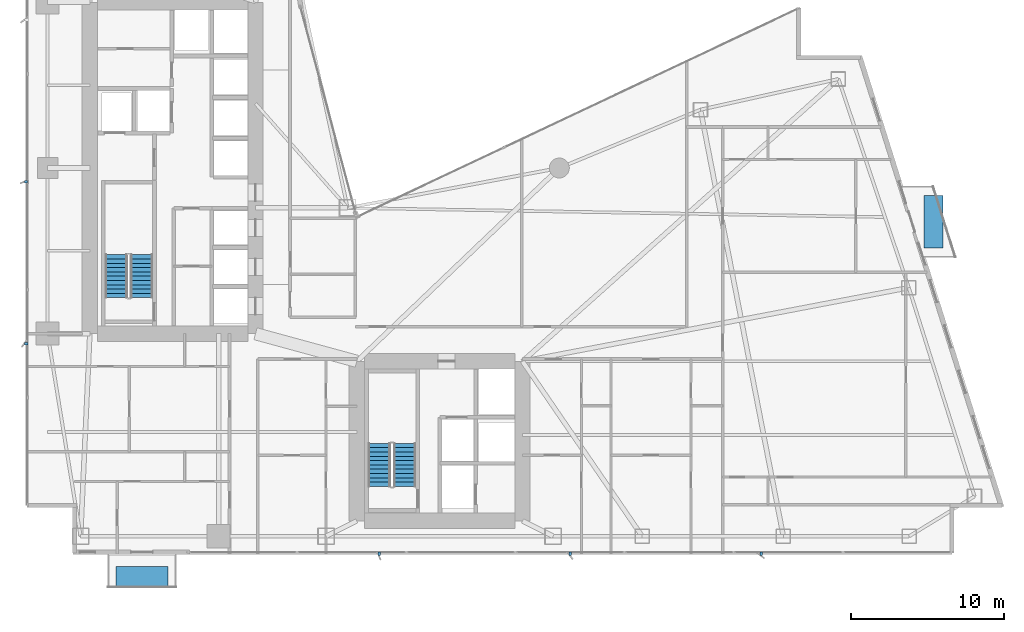
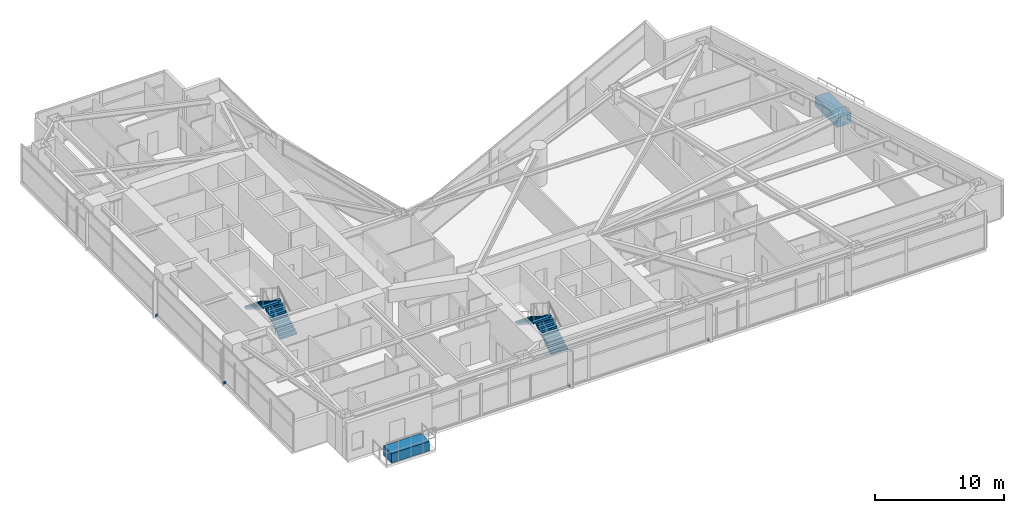
# One storey, part 25 of 28: 7 discrete accessories, 4 stair flights, 2 elements without a shape of their own.
"""IFC4 building model written with IfcOpenShell, lengths in metres."""

from ifc_helpers import new_model, si_unit, direction, frame, origin, origin_2d, place, context, subcontext, project, spatial, polyline, rectangle, outline, extrude, material, type_object, element, aggregate, save


model = new_model("IFC4")

# Units and contexts
model_context = context("Model", 3, precision=1e-05, world=origin(), true_north=direction((0.0, 1.0)))
body_context = subcontext(model_context, "Body", "Model", "MODEL_VIEW")
ifc_project = project(units=[si_unit("LENGTHUNIT", "METRE"), si_unit("AREAUNIT", "SQUARE_METRE"), si_unit("VOLUMEUNIT", "CUBIC_METRE"), si_unit("PLANEANGLEUNIT", "RADIAN"), si_unit("MASSUNIT", "GRAM", prefix="KILO")], contexts=[model_context])

# Site, building, storey
site_placement = place(None, origin())
site = spatial("IfcSite", under=ifc_project, at=site_placement, CompositionType="ELEMENT")
building_placement = place(site_placement, origin())
building = spatial("IfcBuilding", under=site, at=building_placement, Name="Calvorn Quay Hotel", CompositionType="ELEMENT")
storey_placement = place(building_placement, frame((0.0, 0.0, 88.800048828125)))
storey = spatial("IfcBuildingStorey", under=building, at=storey_placement, Name="L21", CompositionType="ELEMENT", Elevation=88.800048828125)

# Stair, stair flights
ifc_material_1 = material(Name="Concrete C40", Category="concrete")
stair_type = type_object("IfcStairType", Name="STR-CORE-DOGLEG", PredefinedType="HALF_TURN_STAIR", material=ifc_material_1)
stair_1_placement = place(storey_placement, origin())
stair_1 = element("IfcStair", 1, at=stair_1_placement, inside=storey, type_object=stair_type, Name="L21 ST-W", PredefinedType="HALF_TURN_STAIR")
ifc_material_2 = material(Name="Concrete C40", Category="concrete")
stair_flight_type = type_object("IfcStairFlightType", Name="FLT-CORE-1550", PredefinedType="STRAIGHT", material=ifc_material_2)
stair_flight_1_placement = place(storey_placement, frame((7.574951171875, 19.14990234375, 0.0), z_axis=(0.0, 0.0, 1.0), x_axis=(0.0, 1.0, 0.0)))
stair_flight_1 = element("IfcStairFlight", 2, at=stair_flight_1_placement, type_object=stair_flight_type, Name="ST-W flight 1", NumberOfRisers=11, NumberOfTreads=10, PredefinedType="STRAIGHT", RiserHeight=0.172727273, TreadLength=0.28, context=body_context, shape_type="SweptSolid", body=[
    extrude(outline(polyline([(0.0, 0.0), (0.0, 0.172607421875), (0.280029296875, 0.172607421875), (0.280029296875, 0.345458984375), (0.56005859375, 0.345458984375), (0.56005859375, 0.51806640625), (0.840087890625, 0.51806640625), (0.840087890625, 0.69091796875), (1.1201171875, 0.69091796875), (1.1201171875, 0.863525390625), (1.39990234375, 0.863525390625), (1.39990234375, 1.036376953125), (1.679931640625, 1.036376953125), (1.679931640625, 1.208984375), (1.9599609375, 1.208984375), (1.9599609375, 1.3818359375), (2.239990234375, 1.3818359375), (2.239990234375, 1.554443359375), (2.52001953125, 1.554443359375), (2.52001953125, 1.727294921875), (2.800048828125, 1.727294921875), (2.800048828125, 1.89990234375), (2.800048828125, 1.551025390625), (0.285400390625, 0.0), (0.0, 0.0)])), frame((0.0, 0.72509765625, 0.0), z_axis=(0.0, -1.0, 0.0), x_axis=(1.0, 0.0, 0.0)), (0.0, 0.0, 1.0), 1.449951171875),
])
stair_flight_2_placement = place(storey_placement, frame((5.925048828125, 21.949951171875, 1.89990234375), z_axis=(0.0, 0.0, 1.0), x_axis=(0.0, -1.0, 0.0)))
stair_flight_2 = element("IfcStairFlight", 3, at=stair_flight_2_placement, type_object=stair_flight_type, Name="ST-W flight 2", NumberOfRisers=11, NumberOfTreads=10, PredefinedType="STRAIGHT", RiserHeight=0.172727273, TreadLength=0.28, context=body_context, shape_type="SweptSolid", body=[
    extrude(outline(polyline([(0.0, 0.0), (0.0, 0.172607421875), (0.280029296875, 0.172607421875), (0.280029296875, 0.345458984375), (0.56005859375, 0.345458984375), (0.56005859375, 0.51806640625), (0.840087890625, 0.51806640625), (0.840087890625, 0.69091796875), (1.1201171875, 0.69091796875), (1.1201171875, 0.863525390625), (1.39990234375, 0.863525390625), (1.39990234375, 1.036376953125), (1.679931640625, 1.036376953125), (1.679931640625, 1.208984375), (1.9599609375, 1.208984375), (1.9599609375, 1.3818359375), (2.239990234375, 1.3818359375), (2.239990234375, 1.554443359375), (2.52001953125, 1.554443359375), (2.52001953125, 1.727294921875), (2.800048828125, 1.727294921875), (2.800048828125, 1.89990234375), (2.800048828125, 1.551025390625), (0.285400390625, 0.0), (0.0, 0.0)])), frame((0.0, 0.72509765625, 0.0), z_axis=(0.0, -1.0, 0.0), x_axis=(1.0, 0.0, 0.0)), (0.0, 0.0, 1.0), 1.449951171875),
])
aggregate(stair_1, [stair_flight_1, stair_flight_2])

stair_2_placement = place(storey_placement, origin())
stair_2 = element("IfcStair", 4, at=stair_2_placement, inside=storey, type_object=stair_type, Name="L21 ST-E", PredefinedType="HALF_TURN_STAIR")
stair_flight_3_placement = place(storey_placement, frame((24.72509765625, 6.85009765625, 0.0), z_axis=(0.0, 0.0, 1.0), x_axis=(0.0, 1.0, 0.0)))
stair_flight_3 = element("IfcStairFlight", 5, at=stair_flight_3_placement, type_object=stair_flight_type, Name="ST-E flight 1", NumberOfRisers=11, NumberOfTreads=10, PredefinedType="STRAIGHT", RiserHeight=0.172727273, TreadLength=0.28, context=body_context, shape_type="SweptSolid", body=[
    extrude(outline(polyline([(0.0, 0.0), (0.0, 0.172607421875), (0.280029296875, 0.172607421875), (0.280029296875, 0.345458984375), (0.56005859375, 0.345458984375), (0.56005859375, 0.51806640625), (0.840087890625, 0.51806640625), (0.840087890625, 0.69091796875), (1.1201171875, 0.69091796875), (1.1201171875, 0.863525390625), (1.39990234375, 0.863525390625), (1.39990234375, 1.036376953125), (1.679931640625, 1.036376953125), (1.679931640625, 1.208984375), (1.9599609375, 1.208984375), (1.9599609375, 1.3818359375), (2.239990234375, 1.3818359375), (2.239990234375, 1.554443359375), (2.52001953125, 1.554443359375), (2.52001953125, 1.727294921875), (2.800048828125, 1.727294921875), (2.800048828125, 1.89990234375), (2.800048828125, 1.551025390625), (0.285400390625, 0.0), (0.0, 0.0)])), frame((0.0, 0.72509765625, 0.0), z_axis=(0.0, -1.0, 0.0), x_axis=(1.0, 0.0, 0.0)), (0.0, 0.0, 1.0), 1.449951171875),
])
stair_flight_4_placement = place(storey_placement, frame((23.074951171875, 9.64990234375, 1.89990234375), z_axis=(0.0, 0.0, 1.0), x_axis=(0.0, -1.0, 0.0)))
stair_flight_4 = element("IfcStairFlight", 6, at=stair_flight_4_placement, type_object=stair_flight_type, Name="ST-E flight 2", NumberOfRisers=11, NumberOfTreads=10, PredefinedType="STRAIGHT", RiserHeight=0.172727273, TreadLength=0.28, context=body_context, shape_type="SweptSolid", body=[
    extrude(outline(polyline([(0.0, 0.0), (0.0, 0.172607421875), (0.280029296875, 0.172607421875), (0.280029296875, 0.345458984375), (0.56005859375, 0.345458984375), (0.56005859375, 0.51806640625), (0.840087890625, 0.51806640625), (0.840087890625, 0.69091796875), (1.1201171875, 0.69091796875), (1.1201171875, 0.863525390625), (1.39990234375, 0.863525390625), (1.39990234375, 1.036376953125), (1.679931640625, 1.036376953125), (1.679931640625, 1.208984375), (1.9599609375, 1.208984375), (1.9599609375, 1.3818359375), (2.239990234375, 1.3818359375), (2.239990234375, 1.554443359375), (2.52001953125, 1.554443359375), (2.52001953125, 1.727294921875), (2.800048828125, 1.727294921875), (2.800048828125, 1.89990234375), (2.800048828125, 1.551025390625), (0.285400390625, 0.0), (0.0, 0.0)])), frame((0.0, 0.72509765625, 0.0), z_axis=(0.0, -1.0, 0.0), x_axis=(1.0, 0.0, 0.0)), (0.0, 0.0, 1.0), 1.449951171875),
])
aggregate(stair_2, [stair_flight_3, stair_flight_4])

# Discrete accessories
ifc_material_3 = material(Name="Steel Q355B", Category="steel")
discrete_accessory_type_1 = type_object("IfcDiscreteAccessoryType", Name="ACC-FIN-BRACKET", PredefinedType="BRACKET", material=ifc_material_3)
for number, where, z_axis, x_axis, name in (
    (7, (0.06005859375, 16.14990234375, 0.02978515625), (0.0, 0.0, 1.0), (1.0, 0.0, 0.0), "Fin Anchor Bracket L21-W01"),
    (8, (0.06005859375, 26.699951171875, 0.02978515625), (0.0, 0.0, 1.0), (1.0, 0.0, 0.0), "Fin Anchor Bracket L21-W02"),
    (9, (23.050048828125, 2.4599609375, 0.02978515625), (0.0, 0.0, 1.0), (0.0, 1.0, 0.0), "Fin Anchor Bracket L21-S01"),
    (10, (35.5, 2.4599609375, 0.02978515625), (0.0, 0.0, 1.0), (0.0, 1.0, 0.0), "Fin Anchor Bracket L21-S02"),
    (11, (47.949951171875, 2.4599609375, 0.02978515625), (0.0, 0.0, 1.0), (0.0, 1.0, 0.0), "Fin Anchor Bracket L21-S03"),
):
    element("IfcDiscreteAccessory", number, at=place(storey_placement, frame(where, z_axis=z_axis, x_axis=x_axis)), inside=storey, type_object=discrete_accessory_type_1, Name=name, PredefinedType="BRACKET", context=body_context, shape_type="SweptSolid", body=[
        extrude(rectangle(XDim=0.239990234375, YDim=0.159912109375, at=origin_2d()), origin(), (0.0, 0.0, 1.0), 0.179931640625),
    ])
ifc_material_4 = material(Name="Precast concrete C40", Category="concrete")
discrete_accessory_type_2 = type_object("IfcDiscreteAccessoryType", Name="ACC-TREE-PLANTER", PredefinedType="USERDEFINED", material=ifc_material_4)
discrete_accessory_1_placement = place(storey_placement, frame((59.180908203125, 24.10009765625, 0.0), z_axis=(0.0, 0.0, 1.0), x_axis=(1.0, 0.0, 0.0)))
element("IfcDiscreteAccessory", 12, at=discrete_accessory_1_placement, inside=storey, type_object=discrete_accessory_type_2, Name="Subtropical Tree Structural Planter L21-BALC-E", ObjectType="PLANTER", PredefinedType="USERDEFINED", context=body_context, shape_type="SweptSolid", body=[
    extrude(rectangle(XDim=1.25, YDim=3.39990234375, at=origin_2d()), origin(), (0.0, 0.0, 1.0), 0.89990234375),
])
discrete_accessory_2_placement = place(storey_placement, frame((7.60009765625, 0.989990234375, 0.0), z_axis=(0.0, 0.0, 1.0), x_axis=(1.0, 0.0, 0.0)))
element("IfcDiscreteAccessory", 13, at=discrete_accessory_2_placement, inside=storey, type_object=discrete_accessory_type_2, Name="Subtropical Tree Structural Planter L21-BALC-S", ObjectType="PLANTER", PredefinedType="USERDEFINED", context=body_context, shape_type="SweptSolid", body=[
    extrude(rectangle(XDim=3.39990234375, YDim=1.25, at=origin_2d()), origin(), (0.0, 0.0, 1.0), 0.89990234375),
])

save(model, "model.ifc")
